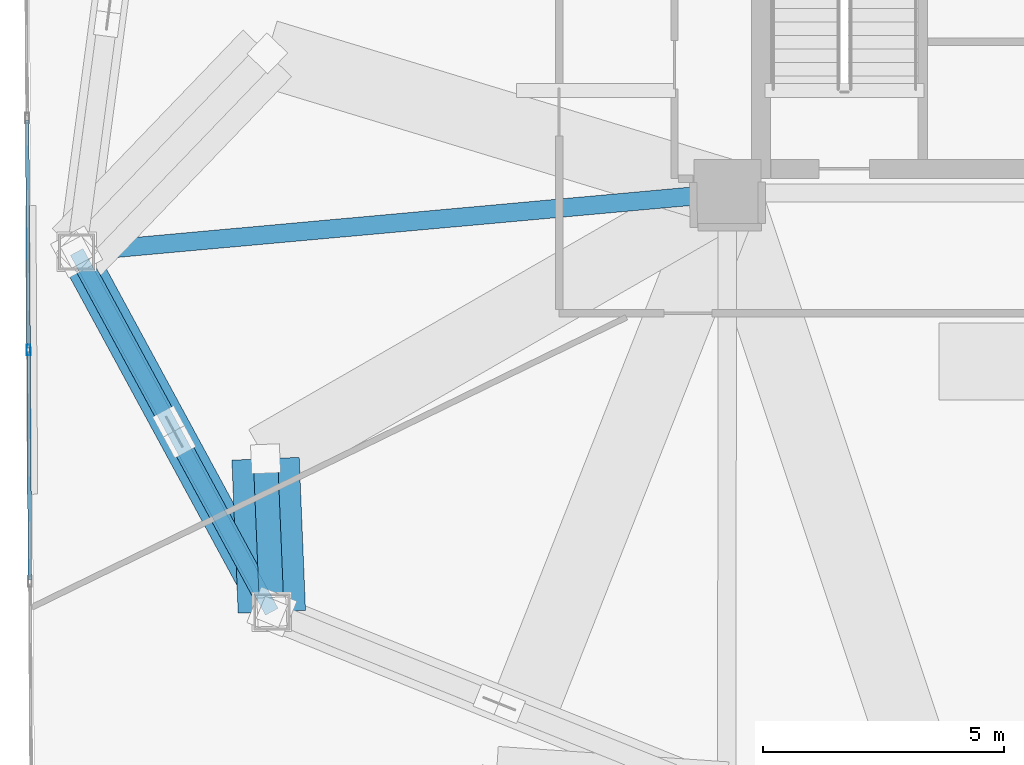
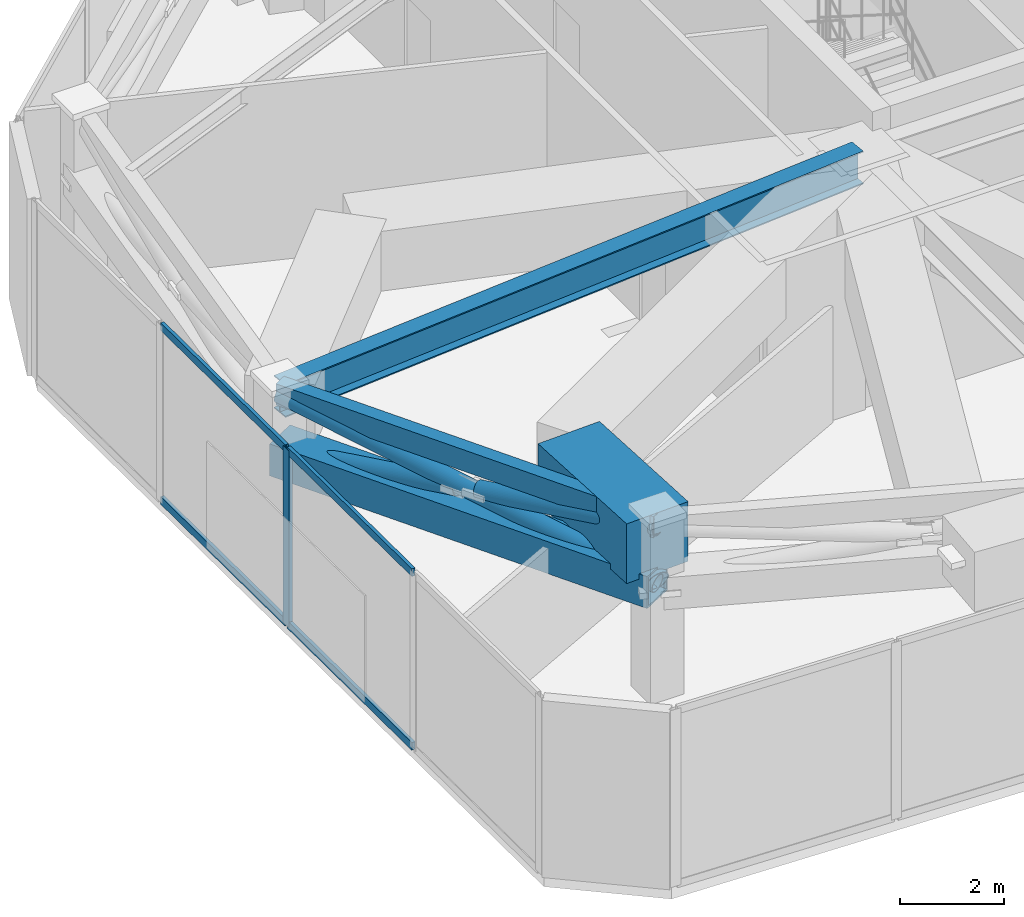
# One storey, part 3 of 25: 10 members, 3 beams, 1 element without a shape of its own.
"""IFC4 building model written with IfcOpenShell, lengths in metres."""

from ifc_helpers import new_model, si_unit, direction, frame, origin, origin_2d, place, context, subcontext, project, spatial, rectangle, hollow_rectangle, hollow_circle, i_section, extrude, source, transform, mapped, material, layer, layer_set, material_profile, profile_set, type_object, type_shapes, element, aggregate, save


model = new_model("IFC4")

# Units and contexts
model_context = context("Model", 3, precision=1e-05, world=origin(), true_north=direction((0.0, 1.0)))
body_context = subcontext(model_context, "Body", "Model", "MODEL_VIEW")
ifc_project = project(units=[si_unit("LENGTHUNIT", "METRE"), si_unit("AREAUNIT", "SQUARE_METRE"), si_unit("VOLUMEUNIT", "CUBIC_METRE"), si_unit("PLANEANGLEUNIT", "RADIAN"), si_unit("MASSUNIT", "GRAM", prefix="KILO")], contexts=[model_context])

# Site, building, storey
site_placement = place(None, origin())
site = spatial("IfcSite", under=ifc_project, at=site_placement, CompositionType="ELEMENT")
building_placement = place(site_placement, origin())
building = spatial("IfcBuilding", under=site, at=building_placement, Name="Talar Marvaseh", CompositionType="ELEMENT")
storey_placement = place(building_placement, frame((0.0, 0.0, 84.800048828125)))
storey = spatial("IfcBuildingStorey", under=building, at=storey_placement, Name="L21", CompositionType="ELEMENT", Elevation=84.800048828125)

# Beams
ifc_material_1 = material(Name="Concrete C70/85", Category="concrete")
ifc_material_profile_1 = material_profile(ifc_material_1, rectangle(XDim=1.39990234375, YDim=1.39990234375, at=origin_2d()), Name="RC1400x1400")
ifc_profile_set_1 = profile_set([ifc_material_profile_1], Name="Concrete C70/85")
beam_type_1 = type_object("IfcBeamType", Name="Setback Deep Concrete Transfer Girder RC1400x1400", PredefinedType="BEAM", material=ifc_profile_set_1)
beam_1_placement = place(storey_placement, frame((9.23193359375, 16.7958984375, 3.449951171875), z_axis=(-0.041101080319, 0.99915499358, 0.0), x_axis=(-0.99915499358, -0.041101080319, 0.0)))
element("IfcBeam", 1, at=beam_1_placement, inside=storey, type_object=beam_type_1, Name="L21 Setback Cantilever Transfer Girder 8", PredefinedType="BEAM", context=body_context, shape_type="SweptSolid", body=[
    extrude(rectangle(XDim=1.39990234375, YDim=1.39990234375, at=origin_2d()), origin(), (0.0, 0.0, 1.0), 3.183837890625),
])
ifc_material_2 = material(Name="Steel S355", Category="steel")
ifc_material_profile_2 = material_profile(ifc_material_2, hollow_rectangle(XDim=0.300048828125, YDim=0.5, WallThickness=0.02001953125, at=origin_2d()), Name="RHS500x300x20")
ifc_profile_set_2 = profile_set([ifc_material_profile_2], Name="Steel S355")
beam_type_2 = type_object("IfcBeamType", Name="Zone 1 Perimeter Spandrel Beam RHS500x300x20", PredefinedType="SPANDREL", material=ifc_profile_set_2)
beam_2_placement = place(storey_placement, frame((9.23193359375, 16.7958984375, 3.89990234375), z_axis=(-0.476758155578, 0.879034505062, 0.0), x_axis=(-0.879034505062, -0.476758155578, 0.0)))
element("IfcBeam", 2, at=beam_2_placement, inside=storey, type_object=beam_type_2, Name="L21 Zone 1 Perimeter Spandrel Beam RHS500x300x20", PredefinedType="SPANDREL", context=body_context, shape_type="SweptSolid", body=[
    extrude(hollow_rectangle(XDim=0.300048828125, YDim=0.5, WallThickness=0.02001953125, at=origin_2d()), origin(), (0.0, 0.0, 1.0), 8.50927734375),
])
ifc_material_profile_3 = material_profile(ifc_material_2, i_section(OverallWidth=0.381103515625, OverallDepth=0.77294921875, WebThickness=0.0166015625, FlangeThickness=0.027099609375, at=origin_2d()), Name="W760x257")
ifc_profile_set_3 = profile_set([ifc_material_profile_3], Name="Steel S355")
beam_type_3 = type_object("IfcBeamType", Name="Zone 1 Radial Floor Girder W760x257", PredefinedType="BEAM", material=ifc_profile_set_3)
beam_3_placement = place(storey_placement, frame((5.175048828125, 24.27587890625, 3.763427734375), z_axis=(0.995929083348, 0.090140229321, 0.0), x_axis=(-0.090140229321, 0.995929083348, 0.0)))
element("IfcBeam", 3, at=beam_3_placement, inside=storey, type_object=beam_type_3, Name="L21 Zone 1 Radial Floor Girder W760x257", PredefinedType="BEAM", context=body_context, shape_type="SweptSolid", body=[
    extrude(i_section(OverallWidth=0.381103515625, OverallDepth=0.77294921875, WebThickness=0.0166015625, FlangeThickness=0.027099609375, at=origin_2d()), origin(), (0.0, 0.0, 1.0), 13.580078125),
])

# Members
ifc_material_3 = material(Name="Steel S460", Category="steel")
ifc_material_profile_4 = material_profile(ifc_material_3, hollow_circle(Radius=0.25390625, WallThickness=0.02001953125, at=origin_2d()), Name="CHS508x20")
ifc_profile_set_4 = profile_set([ifc_material_profile_4], Name="Steel S460")
member_type_1 = type_object("IfcMemberType", Name="Crown Frame Diagonal Brace CHS508x20", PredefinedType="BRACE", material=ifc_profile_set_4)
shared_shape_1 = source(origin(), body_context, "Body", "SweptSolid", [
    extrude(hollow_circle(Radius=0.25390625, WallThickness=0.02001953125, at=origin_2d()), origin(), (0.0, 0.0, 1.0), 3.368408203125),
])
type_shapes(member_type_1, [shared_shape_1])
member_1_placement = place(storey_placement, frame((9.23193359375, 16.7958984375, 2.550048828125), z_axis=(-0.038848411686, 0.944393291542, 0.326515101949), x_axis=(-0.99915499358, -0.041101080319, 0.0)))
element("IfcMember", 4, at=member_1_placement, inside=storey, type_object=member_type_1, Name="L21 Setback Transfer Raked Strut 8", PredefinedType="BRACE", context=body_context, shape_type="MappedRepresentation", body=[
    mapped(shared_shape_1, transform((0.0, 0.0, 0.0), x_axis=(1.0, 0.0, 0.0), y_axis=(0.0, 1.0, 0.0), z_axis=(0.0, 0.0, 1.0), scale=1.0)),
])
ifc_material_profile_5 = material_profile(ifc_material_3, hollow_rectangle(XDim=0.75, YDim=0.75, WallThickness=0.0400390625, at=origin_2d()), Name="BOX750x750x40")
ifc_profile_set_5 = profile_set([ifc_material_profile_5], Name="Steel S460")
member_type_2 = type_object("IfcMemberType", Name="Belt Truss Chord Member BOX750x750x40", PredefinedType="CHORD", material=ifc_profile_set_5)
shared_shape_2 = source(origin(), body_context, "Body", "SweptSolid", [
    extrude(hollow_rectangle(XDim=0.75, YDim=0.75, WallThickness=0.0400390625, at=origin_2d()), origin(), (0.0, 0.0, 1.0), 8.50927734375),
])
type_shapes(member_type_2, [shared_shape_2])
member_2_placement = place(storey_placement, frame((9.23193359375, 16.7958984375, 2.5), z_axis=(-0.476758155578, 0.879034505062, 0.0), x_axis=(-0.879034505062, -0.476758155578, 0.0)))
element("IfcMember", 5, at=member_2_placement, inside=storey, type_object=member_type_2, Name="L21 Belt Truss Bottom Chord 7", PredefinedType="CHORD", context=body_context, shape_type="MappedRepresentation", body=[
    mapped(shared_shape_2, transform((0.0, 0.0, 0.0), x_axis=(1.0, 0.0, 0.0), y_axis=(0.0, 1.0, 0.0), z_axis=(0.0, 0.0, 1.0), scale=1.0)),
])
ifc_material_profile_6 = material_profile(ifc_material_3, hollow_circle(Radius=0.203125, WallThickness=0.01611328125, at=origin_2d()), Name="CHS406x16")
ifc_profile_set_6 = profile_set([ifc_material_profile_6], Name="Steel S460")
member_type_3 = type_object("IfcMemberType", Name="Belt Truss Diagonal Brace CHS406x16", PredefinedType="BRACE", material=ifc_profile_set_6)
shared_shape_3 = source(origin(), body_context, "Body", "SweptSolid", [
    extrude(hollow_circle(Radius=0.203125, WallThickness=0.01611328125, at=origin_2d()), origin(), (0.0, 0.0, 1.0), 8.61572265625),
])
member_3_placement = place(storey_placement, frame((9.23193359375, 16.7958984375, 2.5), z_axis=(-0.470870412357, 0.868178834554, 0.156673437439), x_axis=(-0.879034505062, -0.476758155578, 0.0)))
element("IfcMember", 6, at=member_3_placement, inside=storey, type_object=member_type_3, Name="L21 Belt Truss Continuous Diagonal 7", PredefinedType="BRACE", context=body_context, shape_type="MappedRepresentation", body=[
    mapped(shared_shape_3, transform((0.0, 0.0, 0.0), x_axis=(1.0, 0.0, 0.0), y_axis=(0.0, 1.0, 0.0), z_axis=(0.0, 0.0, 1.0), scale=1.0)),
])
shared_shape_4 = source(origin(), body_context, "Body", "SweptSolid", [
    extrude(hollow_circle(Radius=0.203125, WallThickness=0.01611328125, at=origin_2d()), origin(), (0.0, 0.0, 1.0), 4.06787109375),
])
type_shapes(member_type_3, [shared_shape_3, shared_shape_4])
for number, where, z_axis, x_axis, name in (
    (7, (5.175048828125, 24.27587890625, 2.5), (0.470899467359, -0.868157124057, 0.156706412092), (0.8790171791, 0.476790099359, 0.0), "L21 Belt Truss Split Diagonal Lower 7"),
    (8, (7.31640625, 20.32763671875, 3.212646484375), (0.47087935969, -0.868180068477, 0.156639705428), (0.879030992437, 0.47676463201, 0.0), "L21 Belt Truss Split Diagonal Upper 7"),
):
    element("IfcMember", number, at=place(storey_placement, frame(where, z_axis=z_axis, x_axis=x_axis)), inside=storey, type_object=member_type_3, Name=name, PredefinedType="BRACE", context=body_context, shape_type="MappedRepresentation", body=[
        mapped(shared_shape_4, transform((0.0, 0.0, 0.0), x_axis=(1.0, 0.0, 0.0), y_axis=(0.0, 1.0, 0.0), z_axis=(0.0, 0.0, 1.0), scale=1.0)),
    ])

# Curtain wall, members
ifc_material_4 = material(Name="Architectural Aluminium", Category="aluminium")
ifc_layer = layer(ifc_material_4, 0.219970703125)
ifc_layer_set = layer_set([ifc_layer], Name="Architectural Aluminium")
curtain_wall_type = type_object("IfcCurtainWallType", Name="Unitised Low-E Museum Curtain Wall Z1", PredefinedType="NOTDEFINED", material=ifc_layer_set)
curtain_wall_placement = place(storey_placement, origin())
curtain_wall = element("IfcCurtainWall", 9, at=curtain_wall_placement, inside=storey, type_object=curtain_wall_type, Name="L21 Unitised Low-E Museum Curtain Wall Z1", PredefinedType="NOTDEFINED")
ifc_material_profile_7 = material_profile(ifc_material_4, hollow_rectangle(XDim=0.074951171875, YDim=0.179931640625, WallThickness=0.0048828125, at=origin_2d()), Name="RHS180x75x5")
ifc_profile_set_7 = profile_set([ifc_material_profile_7], Name="Architectural Aluminium")
member_type_4 = type_object("IfcMemberType", Name="Unitised Curtain Wall Transom RHS180x75x5", PredefinedType="USERDEFINED", material=ifc_profile_set_7)
shared_shape_5 = source(origin(), body_context, "Body", "SweptSolid", [
    extrude(hollow_rectangle(XDim=0.074951171875, YDim=0.179931640625, WallThickness=0.0048828125, at=origin_2d()), origin(), (0.0, 0.0, 1.0), 4.736328125),
])
member_4_placement = place(storey_placement, frame((4.20556640625, 17.46240234375, 0.037353515625), z_axis=(-0.006030818159, 0.999981814451, 0.0), x_axis=(-0.999981814451, -0.006030818159, 0.0)))
member_4 = element("IfcMember", 10, at=member_4_placement, type_object=member_type_4, Name="CW-Z1 transom 2.1", ObjectType="TRANSOM", PredefinedType="USERDEFINED", context=body_context, shape_type="MappedRepresentation", body=[
    mapped(shared_shape_5, transform((0.0, 0.0, 0.0), x_axis=(1.0, 0.0, 0.0), y_axis=(0.0, 1.0, 0.0), z_axis=(0.0, 0.0, 1.0), scale=1.0)),
])
member_5_placement = place(storey_placement, frame((4.20556640625, 17.46240234375, 4.112548828125), z_axis=(-0.006030818159, 0.999981814451, 0.0), x_axis=(-0.999981814451, -0.006030818159, 0.0)))
member_5 = element("IfcMember", 11, at=member_5_placement, type_object=member_type_4, Name="CW-Z1 transom 2.2", ObjectType="TRANSOM", PredefinedType="USERDEFINED", context=body_context, shape_type="MappedRepresentation", body=[
    mapped(shared_shape_5, transform((0.0, 0.0, 0.0), x_axis=(1.0, 0.0, 0.0), y_axis=(0.0, 1.0, 0.0), z_axis=(0.0, 0.0, 1.0), scale=1.0)),
])
shared_shape_6 = source(origin(), body_context, "Body", "SweptSolid", [
    extrude(hollow_rectangle(XDim=0.074951171875, YDim=0.179931640625, WallThickness=0.0048828125, at=origin_2d()), origin(), (0.0, 0.0, 1.0), 4.736572265625),
])
type_shapes(member_type_4, [shared_shape_5, shared_shape_6])
member_6_placement = place(storey_placement, frame((4.176513671875, 22.27880859375, 0.037353515625), z_axis=(-0.00603050732, 0.999981816325, 0.0), x_axis=(-0.999981816325, -0.00603050732, 0.0)))
member_6 = element("IfcMember", 12, at=member_6_placement, type_object=member_type_4, Name="CW-Z1 transom 3.1", ObjectType="TRANSOM", PredefinedType="USERDEFINED", context=body_context, shape_type="MappedRepresentation", body=[
    mapped(shared_shape_6, transform((0.0, 0.0, 0.0), x_axis=(1.0, 0.0, 0.0), y_axis=(0.0, 1.0, 0.0), z_axis=(0.0, 0.0, 1.0), scale=1.0)),
])
member_7_placement = place(storey_placement, frame((4.176513671875, 22.27880859375, 4.112548828125), z_axis=(-0.00603050732, 0.999981816325, 0.0), x_axis=(-0.999981816325, -0.00603050732, 0.0)))
member_7 = element("IfcMember", 13, at=member_7_placement, type_object=member_type_4, Name="CW-Z1 transom 3.2", ObjectType="TRANSOM", PredefinedType="USERDEFINED", context=body_context, shape_type="MappedRepresentation", body=[
    mapped(shared_shape_6, transform((0.0, 0.0, 0.0), x_axis=(1.0, 0.0, 0.0), y_axis=(0.0, 1.0, 0.0), z_axis=(0.0, 0.0, 1.0), scale=1.0)),
])
ifc_material_profile_8 = material_profile(ifc_material_4, hollow_rectangle(XDim=0.080078125, YDim=0.219970703125, WallThickness=0.0048828125, at=origin_2d()), Name="RHS220x80x5")
ifc_profile_set_8 = profile_set([ifc_material_profile_8], Name="Architectural Aluminium")
member_type_5 = type_object("IfcMemberType", Name="Unitised Curtain Wall Heavy Mullion RHS220x80x5", PredefinedType="MULLION", material=ifc_profile_set_8)
shared_shape_7 = source(origin(), body_context, "Body", "SweptSolid", [
    extrude(hollow_rectangle(XDim=0.080078125, YDim=0.219970703125, WallThickness=0.0048828125, at=origin_2d()), origin(), (0.0, 0.0, 1.0), 4.14990234375),
])
type_shapes(member_type_5, [shared_shape_7])
member_8_placement = place(storey_placement, frame((4.1767578125, 22.23876953125, 0.0), z_axis=(0.0, 0.0, 1.0), x_axis=(-0.999981749429, -0.006041589923, 0.0)))
member_8 = element("IfcMember", 14, at=member_8_placement, type_object=member_type_5, Name="CW-Z1 mullion 3", PredefinedType="MULLION", context=body_context, shape_type="MappedRepresentation", body=[
    mapped(shared_shape_7, transform((0.0, 0.0, 0.0), x_axis=(1.0, 0.0, 0.0), y_axis=(0.0, 1.0, 0.0), z_axis=(0.0, 0.0, 1.0), scale=1.0)),
])
aggregate(curtain_wall, [member_8, member_4, member_5, member_6, member_7])

save(model, "model.ifc")
